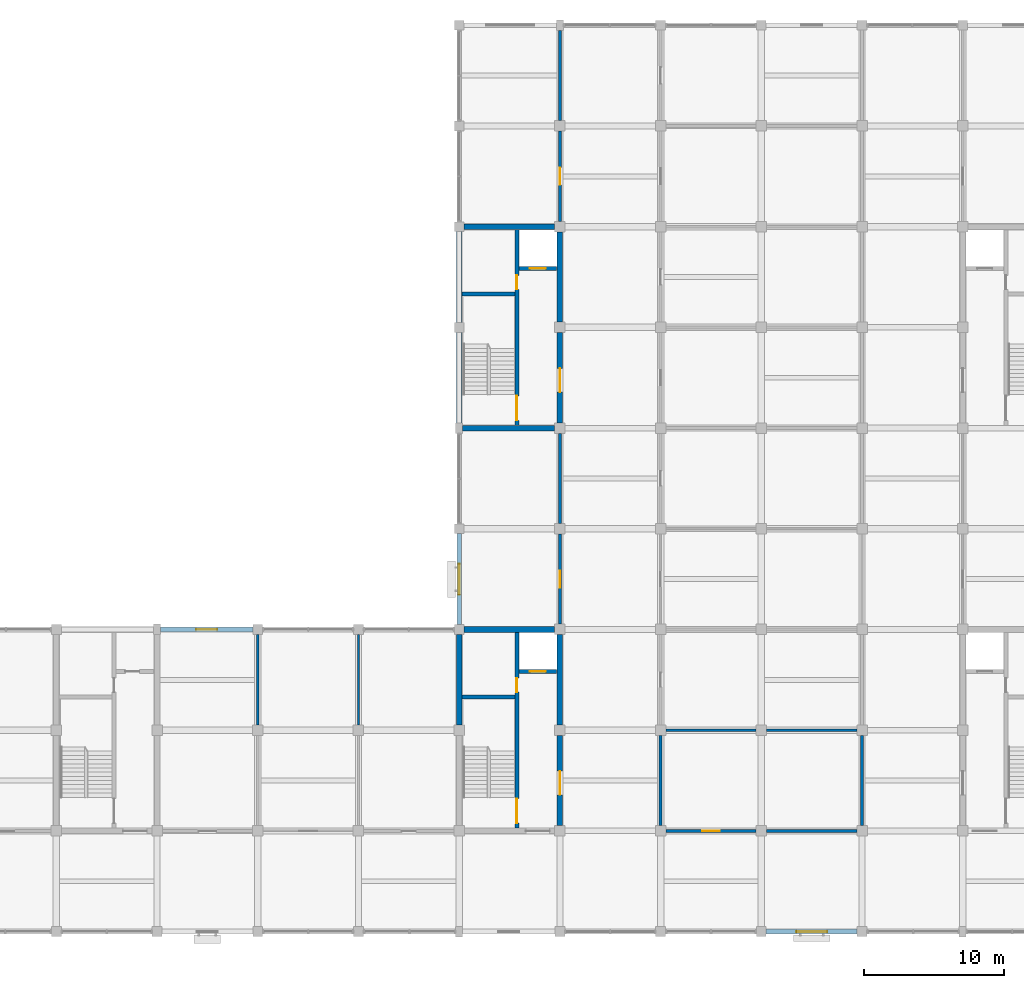
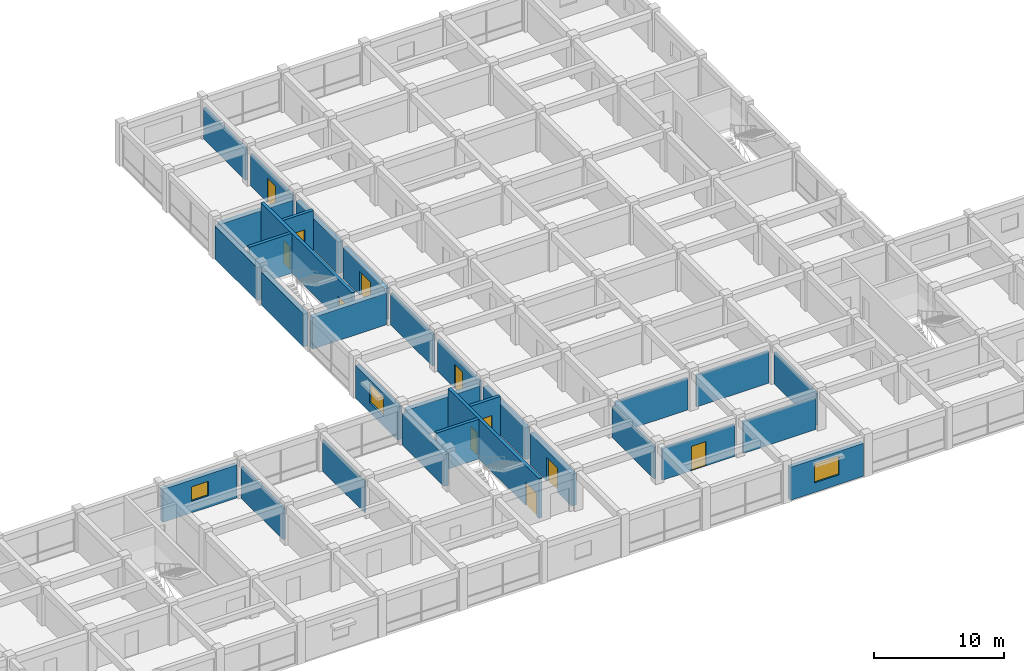
# One storey, part 14 of 25: 31 walls, 11 doors, 3 windows, 14 openings.
"""IFC4 building model written with IfcOpenShell, lengths in metres."""

from ifc_helpers import new_model, si_unit, direction, frame, frame_2d, origin, place, context, subcontext, project, spatial, rectangle, extrude, material, layer, layer_set, type_object, element, fill, save


model = new_model("IFC4")

# Units and contexts
model_context = context("Model", 3, precision=1e-05, world=origin(), true_north=direction((0.0, 1.0)))
body_context = subcontext(model_context, "Body", "Model", "MODEL_VIEW")
ifc_project = project(units=[si_unit("LENGTHUNIT", "METRE"), si_unit("AREAUNIT", "SQUARE_METRE"), si_unit("VOLUMEUNIT", "CUBIC_METRE"), si_unit("PLANEANGLEUNIT", "RADIAN"), si_unit("MASSUNIT", "GRAM", prefix="KILO")], contexts=[model_context])

# Site, building, storey
site_placement = place(None, origin())
site = spatial("IfcSite", under=ifc_project, at=site_placement, CompositionType="ELEMENT")
building_placement = place(site_placement, origin())
building = spatial("IfcBuilding", under=site, at=building_placement, Name="Cendaluz Park School", CompositionType="ELEMENT")
storey_placement = place(building_placement, frame((0.0, 0.0, 18.60009765625)))
storey = spatial("IfcBuildingStorey", under=building, at=storey_placement, Name="L04", CompositionType="ELEMENT", Elevation=18.60009765625)

# Wall
ifc_material_1 = material(Name="Gypsum Plasterboard on Cold-Formed Stud", Category="gypsum")
ifc_layer_1 = layer(ifc_material_1, 0.199951171875)
ifc_layer_set_1 = layer_set([ifc_layer_1], Name="Gypsum Plasterboard on Cold-Formed Stud")
wall_type_1 = type_object("IfcWallType", Name="W-AC20", PredefinedType="PARTITIONING", material=ifc_layer_set_1)
wall_1_placement = place(storey_placement, frame((50.39990234375, 21.97509765625, 0.0), z_axis=(0.0, 0.0, 1.0), x_axis=(0.0, 1.0, 0.0)))
element("IfcWall", 1, at=wall_1_placement, inside=storey, type_object=wall_type_1, Name="WL-FE-BN3", PredefinedType="PARTITIONING", context=body_context, shape_type="SweptSolid", body=[
    extrude(rectangle(XDim=6.474853515625, YDim=0.199951171875, at=frame_2d((3.2373046875, 0.0))), origin(), (0.0, 0.0, 1.0), 2.969970703125),
])

# Wall, opening, door
wall_2_placement = place(storey_placement, frame((72.0, 29.175048828125, 0.0), z_axis=(0.0, 0.0, 1.0), x_axis=(0.0, 1.0, 0.0)))
wall_2 = element("IfcWall", 2, at=wall_2_placement, inside=storey, type_object=wall_type_1, Name="WL-FE-BP2", PredefinedType="PARTITIONING", context=body_context, shape_type="SweptSolid", body=[
    extrude(rectangle(XDim=6.449951171875, YDim=0.199951171875, at=frame_2d((3.22509765625, 0.0))), origin(), (0.0, 0.0, 1.0), 2.969970703125),
])
opening_1_placement = place(wall_2_placement, frame((2.625, 0.0, 0.0)))
opening_1 = element("IfcOpeningElement", 3, at=opening_1_placement, cuts=wall_2, Name="Opening DCL-08", PredefinedType="OPENING", context=body_context, shape_type="SweptSolid", body=[
    extrude(rectangle(XDim=1.199951171875, YDim=2.239990234375, at=frame_2d((0.60009765625, 1.1201171875))), frame((0.0, 0.112060546875, 0.0), z_axis=(0.0, -1.0, 0.0), x_axis=(1.0, 0.0, 0.0)), (0.0, 0.0, 1.0), 0.223876953125),
])
ifc_material_2 = material(Name="Solid Core Hardwood", Category="wood")
door_type_1 = type_object("IfcDoorType", Name="DCL-08", OperationType="NOTDEFINED", PredefinedType="DOOR", material=ifc_material_2)
door_1_placement = place(opening_1_placement, origin())
door_1 = element("IfcDoor", 4, at=door_1_placement, inside=storey, type_object=door_type_1, Name="D-L04-039", OperationType="SINGLE_SWING_LEFT", OverallHeight=2.239990234375, OverallWidth=1.199951171875, PredefinedType="DOOR", context=body_context, shape_type="SweptSolid", body=[
    extrude(rectangle(XDim=1.199951171875, YDim=2.239990234375, at=frame_2d((0.60009765625, 1.1201171875))), frame((0.0, 0.02490234375, 0.0), z_axis=(0.0, -1.0, 0.0), x_axis=(1.0, 0.0, 0.0)), (0.0, 0.0, 1.0), 0.050048828125),
])
fill(opening_1, door_1)

# Wall
wall_3_placement = place(storey_placement, frame((72.0, 36.375, 0.0), z_axis=(0.0, 0.0, 1.0), x_axis=(0.0, 1.0, 0.0)))
element("IfcWall", 5, at=wall_3_placement, inside=storey, type_object=wall_type_1, Name="WL-FE-BP3", PredefinedType="PARTITIONING", context=body_context, shape_type="SweptSolid", body=[
    extrude(rectangle(XDim=6.449951171875, YDim=0.199951171875, at=frame_2d((3.22509765625, 0.0))), origin(), (0.0, 0.0, 1.0), 2.969970703125),
])

# Wall, opening, door
wall_4_placement = place(storey_placement, frame((72.0, 57.97509765625, 0.0), z_axis=(0.0, 0.0, 1.0), x_axis=(0.0, 1.0, 0.0)))
wall_4 = element("IfcWall", 6, at=wall_4_placement, inside=storey, type_object=wall_type_1, Name="WL-FE-BP4", PredefinedType="PARTITIONING", context=body_context, shape_type="SweptSolid", body=[
    extrude(rectangle(XDim=6.449951171875, YDim=0.199951171875, at=frame_2d((3.22509765625, 0.0))), origin(), (0.0, 0.0, 1.0), 2.969970703125),
])
opening_2_placement = place(wall_4_placement, frame((2.60498046875, 0.0, 0.0)))
opening_2 = element("IfcOpeningElement", 7, at=opening_2_placement, cuts=wall_4, Name="Opening DCL-09", PredefinedType="OPENING", context=body_context, shape_type="SweptSolid", body=[
    extrude(rectangle(XDim=1.239990234375, YDim=2.260009765625, at=frame_2d((0.6201171875, 1.1298828125))), frame((0.0, 0.112060546875, 0.0), z_axis=(0.0, -1.0, 0.0), x_axis=(1.0, 0.0, 0.0)), (0.0, 0.0, 1.0), 0.223876953125),
])
door_type_2 = type_object("IfcDoorType", Name="DCL-09", OperationType="NOTDEFINED", PredefinedType="DOOR", material=ifc_material_2)
door_2_placement = place(opening_2_placement, origin())
door_2 = element("IfcDoor", 8, at=door_2_placement, inside=storey, type_object=door_type_2, Name="D-L04-040", OperationType="SINGLE_SWING_RIGHT", OverallHeight=2.260009765625, OverallWidth=1.239990234375, PredefinedType="DOOR", context=body_context, shape_type="SweptSolid", body=[
    extrude(rectangle(XDim=1.239990234375, YDim=2.260009765625, at=frame_2d((0.6201171875, 1.1298828125))), frame((0.0, 0.02490234375, 0.0), z_axis=(0.0, -1.0, 0.0), x_axis=(1.0, 0.0, 0.0)), (0.0, 0.0, 1.0), 0.050048828125),
])
fill(opening_2, door_2)

# Wall
wall_5_placement = place(storey_placement, frame((72.0, 65.175048828125, 0.0), z_axis=(0.0, 0.0, 1.0), x_axis=(0.0, 1.0, 0.0)))
element("IfcWall", 9, at=wall_5_placement, inside=storey, type_object=wall_type_1, Name="WL-FE-BP5", PredefinedType="PARTITIONING", context=body_context, shape_type="SweptSolid", body=[
    extrude(rectangle(XDim=6.449951171875, YDim=0.199951171875, at=frame_2d((3.22509765625, 0.0))), origin(), (0.0, 0.0, 1.0), 2.969970703125),
])

# Wall, opening, door
wall_6_placement = place(storey_placement, frame((79.574951171875, 14.39990234375, 0.0), z_axis=(0.0, 0.0, 1.0), x_axis=(1.0, 0.0, 0.0)))
wall_6 = element("IfcWall", 10, at=wall_6_placement, inside=storey, type_object=wall_type_1, Name="WL-FE-BP6", PredefinedType="PARTITIONING", context=body_context, shape_type="SweptSolid", body=[
    extrude(rectangle(XDim=6.449951171875, YDim=0.199951171875, at=frame_2d((3.22509765625, 0.0))), origin(), (0.0, 0.0, 1.0), 2.969970703125),
])
opening_3_placement = place(wall_6_placement, frame((2.5849609375, 0.0, 0.0)))
opening_3 = element("IfcOpeningElement", 11, at=opening_3_placement, cuts=wall_6, Name="Opening DCL-10", PredefinedType="OPENING", context=body_context, shape_type="SweptSolid", body=[
    extrude(rectangle(XDim=1.280029296875, YDim=2.280029296875, at=frame_2d((0.64013671875, 1.14013671875))), frame((0.0, 0.112060546875, 0.0), z_axis=(0.0, -1.0, 0.0), x_axis=(1.0, 0.0, 0.0)), (0.0, 0.0, 1.0), 0.223876953125),
])
door_type_3 = type_object("IfcDoorType", Name="DCL-10", OperationType="NOTDEFINED", PredefinedType="DOOR", material=ifc_material_2)
door_3_placement = place(opening_3_placement, origin())
door_3 = element("IfcDoor", 12, at=door_3_placement, inside=storey, type_object=door_type_3, Name="D-L04-041", OperationType="SINGLE_SWING_LEFT", OverallHeight=2.280029296875, OverallWidth=1.280029296875, PredefinedType="DOOR", context=body_context, shape_type="SweptSolid", body=[
    extrude(rectangle(XDim=1.280029296875, YDim=2.280029296875, at=frame_2d((0.64013671875, 1.14013671875))), frame((0.0, 0.02490234375, 0.0), z_axis=(0.0, -1.0, 0.0), x_axis=(1.0, 0.0, 0.0)), (0.0, 0.0, 1.0), 0.050048828125),
])
fill(opening_3, door_3)

# Walls
wall_7_placement = place(storey_placement, frame((79.574951171875, 21.60009765625, 0.0), z_axis=(0.0, 0.0, 1.0), x_axis=(1.0, 0.0, 0.0)))
element("IfcWall", 13, at=wall_7_placement, inside=storey, type_object=wall_type_1, Name="WL-FE-BP7", PredefinedType="PARTITIONING", context=body_context, shape_type="SweptSolid", body=[
    extrude(rectangle(XDim=6.449951171875, YDim=0.199951171875, at=frame_2d((3.22509765625, 0.0))), origin(), (0.0, 0.0, 1.0), 2.969970703125),
])
for number, where, z_axis, x_axis, name in (
    (14, (79.199951171875, 14.77490234375, 0.0), (0.0, 0.0, 1.0), (0.0, 1.0, 0.0), "WL-FE-BP8"),
    (15, (86.77490234375, 14.39990234375, 0.0), (0.0, 0.0, 1.0), (1.0, 0.0, 0.0), "WL-FE-BP9"),
    (16, (86.77490234375, 21.60009765625, 0.0), (0.0, 0.0, 1.0), (1.0, 0.0, 0.0), "WL-FE-BQ0"),
    (17, (93.60009765625, 14.77490234375, 0.0), (0.0, 0.0, 1.0), (0.0, 1.0, 0.0), "WL-FE-BQ1"),
):
    element("IfcWall", number, at=place(storey_placement, frame(where, z_axis=z_axis, x_axis=x_axis)), inside=storey, type_object=wall_type_1, Name=name, PredefinedType="PARTITIONING", context=body_context, shape_type="SweptSolid", body=[
        extrude(rectangle(XDim=6.4501953125, YDim=0.199951171875, at=frame_2d((3.22509765625, 0.0))), origin(), (0.0, 0.0, 1.0), 2.969970703125),
    ])

# Wall, opening, window
ifc_material_3 = material(Name="Concrete C40/50 precast", Category="concrete")
ifc_layer_2 = layer(ifc_material_3, 0.340087890625)
ifc_layer_set_2 = layer_set([ifc_layer_2], Name="Concrete C40/50 precast")
wall_type_2 = type_object("IfcWallType", Name="W-EX34", PredefinedType="SOLIDWALL", material=ifc_layer_set_2)
wall_8_placement = place(storey_placement, frame((43.449951171875, 28.800048828125, 0.0), z_axis=(0.0, 0.0, 1.0), x_axis=(1.0, 0.0, 0.0)))
wall_8 = element("IfcWall", 18, at=wall_8_placement, inside=storey, type_object=wall_type_2, Name="WL-FE-AA4", PredefinedType="SOLIDWALL", context=body_context, shape_type="SweptSolid", body=[
    extrude(rectangle(XDim=6.60009765625, YDim=0.340087890625, at=frame_2d((3.300048828125, 0.0))), origin(), (0.0, 0.0, 1.0), 3.10986328125),
])
opening_4_placement = place(wall_8_placement, frame((2.550048828125, 0.0, 1.10009765625)))
opening_4 = element("IfcOpeningElement", 19, at=opening_4_placement, cuts=wall_8, Name="Opening WN-20", PredefinedType="OPENING", context=body_context, shape_type="SweptSolid", body=[
    extrude(rectangle(XDim=1.5, YDim=1.35009765625, at=frame_2d((0.75, 0.675048828125))), frame((0.0, 0.18212890625, 0.0), z_axis=(0.0, -1.0, 0.0), x_axis=(1.0, 0.0, 0.0)), (0.0, 0.0, 1.0), 0.364013671875),
])
ifc_material_4 = material(Name="Tempered Low-E Double Glazing", Category="glass")
window_type_1 = type_object("IfcWindowType", Name="WN-20", PartitioningType="SINGLE_PANEL", PredefinedType="WINDOW", material=ifc_material_4)
window_1_placement = place(opening_4_placement, origin())
window_1 = element("IfcWindow", 20, at=window_1_placement, inside=storey, type_object=window_type_1, Name="WN-L04-005", OverallHeight=1.35009765625, OverallWidth=1.5, PartitioningType="SINGLE_PANEL", PredefinedType="WINDOW", context=body_context, shape_type="SweptSolid", body=[
    extrude(rectangle(XDim=1.5, YDim=1.35009765625, at=frame_2d((0.75, 0.675048828125))), frame((0.0, 0.030029296875, 0.0), z_axis=(0.0, -1.0, 0.0), x_axis=(1.0, 0.0, 0.0)), (0.0, 0.0, 1.0), 0.06005859375),
])
fill(opening_4, window_1)

wall_9_placement = place(storey_placement, frame((64.800048828125, 29.14990234375, 0.0), z_axis=(0.0, 0.0, 1.0), x_axis=(0.0, 1.0, 0.0)))
wall_9 = element("IfcWall", 21, at=wall_9_placement, inside=storey, type_object=wall_type_2, Name="WL-FE-AA6", PredefinedType="SOLIDWALL", context=body_context, shape_type="SweptSolid", body=[
    extrude(rectangle(XDim=6.5, YDim=0.340087890625, at=frame_2d((3.25, 0.0))), origin(), (0.0, 0.0, 1.0), 3.10986328125),
])
opening_5_placement = place(wall_9_placement, frame((2.14990234375, 0.0, 0.89990234375)))
opening_5 = element("IfcOpeningElement", 22, at=opening_5_placement, cuts=wall_9, Name="Opening WN-03", PredefinedType="OPENING", context=body_context, shape_type="SweptSolid", body=[
    extrude(rectangle(XDim=2.199951171875, YDim=1.800048828125, at=frame_2d((1.10009765625, 0.89990234375))), frame((0.0, 0.18212890625, 0.0), z_axis=(0.0, -1.0, 0.0), x_axis=(1.0, 0.0, 0.0)), (0.0, 0.0, 1.0), 0.364013671875),
])
window_type_2 = type_object("IfcWindowType", Name="WN-03", PartitioningType="SINGLE_PANEL", PredefinedType="WINDOW", material=ifc_material_4)
window_2_placement = place(opening_5_placement, origin())
window_2 = element("IfcWindow", 23, at=window_2_placement, inside=storey, type_object=window_type_2, Name="WN-L04-007", OverallHeight=1.800048828125, OverallWidth=2.199951171875, PartitioningType="SINGLE_PANEL", PredefinedType="WINDOW", context=body_context, shape_type="SweptSolid", body=[
    extrude(rectangle(XDim=2.199951171875, YDim=1.800048828125, at=frame_2d((1.10009765625, 0.89990234375))), frame((0.0, 0.030029296875, 0.0), z_axis=(0.0, -1.0, 0.0), x_axis=(1.0, 0.0, 0.0)), (0.0, 0.0, 1.0), 0.06005859375),
])
fill(opening_5, window_2)

wall_10_placement = place(storey_placement, frame((86.75, 7.199951171875, 0.0), z_axis=(0.0, 0.0, 1.0), x_axis=(1.0, 0.0, 0.0)))
wall_10 = element("IfcWall", 24, at=wall_10_placement, inside=storey, type_object=wall_type_2, Name="WL-FE-AA8", PredefinedType="SOLIDWALL", context=body_context, shape_type="SweptSolid", body=[
    extrude(rectangle(XDim=6.5, YDim=0.340087890625, at=frame_2d((3.25, 0.0))), origin(), (0.0, 0.0, 1.0), 3.10986328125),
])
opening_6_placement = place(wall_10_placement, frame((2.14990234375, 0.0, 0.89990234375)))
opening_6 = element("IfcOpeningElement", 25, at=opening_6_placement, cuts=wall_10, Name="Opening WN-03", PredefinedType="OPENING", context=body_context, shape_type="SweptSolid", body=[
    extrude(rectangle(XDim=2.199951171875, YDim=1.800048828125, at=frame_2d((1.10009765625, 0.89990234375))), frame((0.0, 0.18212890625, 0.0), z_axis=(0.0, -1.0, 0.0), x_axis=(1.0, 0.0, 0.0)), (0.0, 0.0, 1.0), 0.364013671875),
])
window_3_placement = place(opening_6_placement, origin())
window_3 = element("IfcWindow", 26, at=window_3_placement, inside=storey, type_object=window_type_2, Name="WN-L04-009", OverallHeight=1.800048828125, OverallWidth=2.199951171875, PartitioningType="SINGLE_PANEL", PredefinedType="WINDOW", context=body_context, shape_type="SweptSolid", body=[
    extrude(rectangle(XDim=2.199951171875, YDim=1.800048828125, at=frame_2d((1.10009765625, 0.89990234375))), frame((0.0, 0.030029296875, 0.0), z_axis=(0.0, -1.0, 0.0), x_axis=(1.0, 0.0, 0.0)), (0.0, 0.0, 1.0), 0.06005859375),
])
fill(opening_6, window_3)

# Wall, openings, doors
ifc_material_5 = material(Name="Concrete C40/50", Category="concrete")
ifc_layer_3 = layer(ifc_material_5, 0.280029296875)
ifc_layer_set_3 = layer_set([ifc_layer_3], Name="Concrete C40/50")
wall_type_3 = type_object("IfcWallType", Name="W-FW28", PredefinedType="SHEAR", material=ifc_layer_set_3)
wall_11_placement = place(storey_placement, frame((68.919921875, 14.60009765625, 0.0), z_axis=(0.0, 0.0, 1.0), x_axis=(0.0, 1.0, 0.0)))
wall_11 = element("IfcWall", 27, at=wall_11_placement, inside=storey, type_object=wall_type_3, Name="WL-FE-BH6", PredefinedType="SHEAR", context=body_context, shape_type="SweptSolid", body=[
    extrude(rectangle(XDim=14.0, YDim=0.280029296875, at=frame_2d((7.0, 0.0))), origin(), (0.0, 0.0, 1.0), 3.739990234375),
])
opening_7_placement = place(wall_11_placement, frame((0.35009765625, 0.0, 0.0)))
opening_7 = element("IfcOpeningElement", 28, at=opening_7_placement, cuts=wall_11, Name="Opening DST-03", PredefinedType="OPENING", context=body_context, shape_type="SweptSolid", body=[
    extrude(rectangle(XDim=1.75, YDim=2.14990234375, at=frame_2d((0.875, 1.074951171875))), frame((0.0, 0.152099609375, 0.0), z_axis=(0.0, -1.0, 0.0), x_axis=(1.0, 0.0, 0.0)), (0.0, 0.0, 1.0), 0.303955078125),
])
opening_8_placement = place(wall_11_placement, frame((9.719970703125, 0.0, 0.0)))
opening_8 = element("IfcOpeningElement", 29, at=opening_8_placement, cuts=wall_11, Name="Opening DFC-01", PredefinedType="OPENING", context=body_context, shape_type="SweptSolid", body=[
    extrude(rectangle(XDim=1.0, YDim=2.14990234375, at=frame_2d((0.5, 1.074951171875))), frame((0.0, 0.152099609375, 0.0), z_axis=(0.0, -1.0, 0.0), x_axis=(1.0, 0.0, 0.0)), (0.0, 0.0, 1.0), 0.303955078125),
])
door_type_4 = type_object("IfcDoorType", Name="DFC-01", OperationType="NOTDEFINED", PredefinedType="DOOR", material=ifc_material_2)
door_4_placement = place(opening_8_placement, origin())
door_4 = element("IfcDoor", 30, at=door_4_placement, inside=storey, type_object=door_type_4, Name="D-L04-004", OperationType="SINGLE_SWING_RIGHT", OverallHeight=2.14990234375, OverallWidth=1.0, PredefinedType="DOOR", context=body_context, shape_type="SweptSolid", body=[
    extrude(rectangle(XDim=1.0, YDim=2.14990234375, at=frame_2d((0.5, 1.074951171875))), frame((0.0, 0.02490234375, 0.0), z_axis=(0.0, -1.0, 0.0), x_axis=(1.0, 0.0, 0.0)), (0.0, 0.0, 1.0), 0.050048828125),
])
fill(opening_8, door_4)
door_type_5 = type_object("IfcDoorType", Name="DST-03", OperationType="DOUBLE_DOOR_SINGLE_SWING", PredefinedType="DOOR", material=ifc_material_2)
door_5_placement = place(opening_7_placement, origin())
door_5 = element("IfcDoor", 31, at=door_5_placement, inside=storey, type_object=door_type_5, Name="D-L04-003", OperationType="DOUBLE_DOOR_SINGLE_SWING", OverallHeight=2.14990234375, OverallWidth=1.75, PredefinedType="DOOR", context=body_context, shape_type="SweptSolid", body=[
    extrude(rectangle(XDim=1.75, YDim=2.14990234375, at=frame_2d((0.875, 1.074951171875))), frame((0.0, 0.02490234375, 0.0), z_axis=(0.0, -1.0, 0.0), x_axis=(1.0, 0.0, 0.0)), (0.0, 0.0, 1.0), 0.050048828125),
])
fill(opening_7, door_5)

# Wall
wall_12_placement = place(storey_placement, frame((65.0, 23.97998046875, 0.0), z_axis=(0.0, 0.0, 1.0), x_axis=(1.0, 0.0, 0.0)))
element("IfcWall", 32, at=wall_12_placement, inside=storey, type_object=wall_type_3, Name="WL-FE-BH7", PredefinedType="SHEAR", context=body_context, shape_type="SweptSolid", body=[
    extrude(rectangle(XDim=3.780029296875, YDim=0.280029296875, at=frame_2d((1.89013671875, 0.0))), origin(), (0.0, 0.0, 1.0), 3.739990234375),
])

# Wall, opening, door
wall_13_placement = place(storey_placement, frame((69.080078125, 25.800048828125, 0.0), z_axis=(0.0, 0.0, 1.0), x_axis=(1.0, 0.0, 0.0)))
wall_13 = element("IfcWall", 33, at=wall_13_placement, inside=storey, type_object=wall_type_3, Name="WL-FE-BH8", PredefinedType="SHEAR", context=body_context, shape_type="SweptSolid", body=[
    extrude(rectangle(XDim=2.679931640625, YDim=0.280029296875, at=frame_2d((1.33984375, 0.0))), origin(), (0.0, 0.0, 1.0), 3.739990234375),
])
opening_9_placement = place(wall_13_placement, frame((0.764892578125, 0.0, 0.0)))
opening_9 = element("IfcOpeningElement", 34, at=opening_9_placement, cuts=wall_13, Name="Opening LD-01", PredefinedType="OPENING", context=body_context, shape_type="SweptSolid", body=[
    extrude(rectangle(XDim=1.14990234375, YDim=2.199951171875, at=frame_2d((0.574951171875, 1.10009765625))), frame((0.0, 0.152099609375, 0.0), z_axis=(0.0, -1.0, 0.0), x_axis=(1.0, 0.0, 0.0)), (0.0, 0.0, 1.0), 0.303955078125),
])
ifc_material_6 = material(Name="Stainless Steel 316L", Category="steel")
door_type_6 = type_object("IfcDoorType", Name="LD-01", OperationType="DOUBLE_DOOR_SLIDING", PredefinedType="DOOR", material=ifc_material_6)
door_6_placement = place(opening_9_placement, frame((1.14990234375, 0.0, 0.0), z_axis=(0.0, 0.0, 1.0), x_axis=(-1.0, 0.0, 0.0)))
door_6 = element("IfcDoor", 35, at=door_6_placement, inside=storey, type_object=door_type_6, Name="D-L04-005", OperationType="DOUBLE_DOOR_SLIDING", OverallHeight=2.199951171875, OverallWidth=1.14990234375, PredefinedType="DOOR", context=body_context, shape_type="SweptSolid", body=[
    extrude(rectangle(XDim=1.14990234375, YDim=2.199951171875, at=frame_2d((0.574951171875, 1.10009765625))), frame((0.0, 0.02490234375, 0.0), z_axis=(0.0, -1.0, 0.0), x_axis=(1.0, 0.0, 0.0)), (0.0, 0.0, 1.0), 0.050048828125),
])
fill(opening_9, door_6)

# Wall, openings, doors
wall_14_placement = place(storey_placement, frame((68.919921875, 43.39990234375, 0.0), z_axis=(0.0, 0.0, 1.0), x_axis=(0.0, 1.0, 0.0)))
wall_14 = element("IfcWall", 36, at=wall_14_placement, inside=storey, type_object=wall_type_3, Name="WL-FE-BJ4", PredefinedType="SHEAR", context=body_context, shape_type="SweptSolid", body=[
    extrude(rectangle(XDim=14.0, YDim=0.280029296875, at=frame_2d((7.0, 0.0))), origin(), (0.0, 0.0, 1.0), 3.739990234375),
])
opening_10_placement = place(wall_14_placement, frame((0.35009765625, 0.0, 0.0)))
opening_10 = element("IfcOpeningElement", 37, at=opening_10_placement, cuts=wall_14, Name="Opening DST-03", PredefinedType="OPENING", context=body_context, shape_type="SweptSolid", body=[
    extrude(rectangle(XDim=1.75, YDim=2.14990234375, at=frame_2d((0.875, 1.074951171875))), frame((0.0, 0.152099609375, 0.0), z_axis=(0.0, -1.0, 0.0), x_axis=(1.0, 0.0, 0.0)), (0.0, 0.0, 1.0), 0.303955078125),
])
opening_11_placement = place(wall_14_placement, frame((9.719970703125, 0.0, 0.0)))
opening_11 = element("IfcOpeningElement", 38, at=opening_11_placement, cuts=wall_14, Name="Opening DFC-01", PredefinedType="OPENING", context=body_context, shape_type="SweptSolid", body=[
    extrude(rectangle(XDim=1.0, YDim=2.14990234375, at=frame_2d((0.5, 1.074951171875))), frame((0.0, 0.152099609375, 0.0), z_axis=(0.0, -1.0, 0.0), x_axis=(1.0, 0.0, 0.0)), (0.0, 0.0, 1.0), 0.303955078125),
])
door_7_placement = place(opening_11_placement, origin())
door_7 = element("IfcDoor", 39, at=door_7_placement, inside=storey, type_object=door_type_4, Name="D-L04-013", OperationType="SINGLE_SWING_RIGHT", OverallHeight=2.14990234375, OverallWidth=1.0, PredefinedType="DOOR", context=body_context, shape_type="SweptSolid", body=[
    extrude(rectangle(XDim=1.0, YDim=2.14990234375, at=frame_2d((0.5, 1.074951171875))), frame((0.0, 0.02490234375, 0.0), z_axis=(0.0, -1.0, 0.0), x_axis=(1.0, 0.0, 0.0)), (0.0, 0.0, 1.0), 0.050048828125),
])
fill(opening_11, door_7)
door_8_placement = place(opening_10_placement, origin())
door_8 = element("IfcDoor", 40, at=door_8_placement, inside=storey, type_object=door_type_5, Name="D-L04-012", OperationType="DOUBLE_DOOR_SINGLE_SWING", OverallHeight=2.14990234375, OverallWidth=1.75, PredefinedType="DOOR", context=body_context, shape_type="SweptSolid", body=[
    extrude(rectangle(XDim=1.75, YDim=2.14990234375, at=frame_2d((0.875, 1.074951171875))), frame((0.0, 0.02490234375, 0.0), z_axis=(0.0, -1.0, 0.0), x_axis=(1.0, 0.0, 0.0)), (0.0, 0.0, 1.0), 0.050048828125),
])
fill(opening_10, door_8)

# Wall
wall_15_placement = place(storey_placement, frame((65.0, 52.780029296875, 0.0), z_axis=(0.0, 0.0, 1.0), x_axis=(1.0, 0.0, 0.0)))
element("IfcWall", 41, at=wall_15_placement, inside=storey, type_object=wall_type_3, Name="WL-FE-BJ5", PredefinedType="SHEAR", context=body_context, shape_type="SweptSolid", body=[
    extrude(rectangle(XDim=3.780029296875, YDim=0.280029296875, at=frame_2d((1.89013671875, 0.0))), origin(), (0.0, 0.0, 1.0), 3.739990234375),
])

# Wall, opening, door
wall_16_placement = place(storey_placement, frame((69.080078125, 54.60009765625, 0.0), z_axis=(0.0, 0.0, 1.0), x_axis=(1.0, 0.0, 0.0)))
wall_16 = element("IfcWall", 42, at=wall_16_placement, inside=storey, type_object=wall_type_3, Name="WL-FE-BJ6", PredefinedType="SHEAR", context=body_context, shape_type="SweptSolid", body=[
    extrude(rectangle(XDim=2.679931640625, YDim=0.280029296875, at=frame_2d((1.33984375, 0.0))), origin(), (0.0, 0.0, 1.0), 3.739990234375),
])
opening_12_placement = place(wall_16_placement, frame((0.764892578125, 0.0, 0.0)))
opening_12 = element("IfcOpeningElement", 43, at=opening_12_placement, cuts=wall_16, Name="Opening LD-01", PredefinedType="OPENING", context=body_context, shape_type="SweptSolid", body=[
    extrude(rectangle(XDim=1.14990234375, YDim=2.199951171875, at=frame_2d((0.574951171875, 1.10009765625))), frame((0.0, 0.152099609375, 0.0), z_axis=(0.0, -1.0, 0.0), x_axis=(1.0, 0.0, 0.0)), (0.0, 0.0, 1.0), 0.303955078125),
])
door_9_placement = place(opening_12_placement, frame((1.14990234375, 0.0, 0.0), z_axis=(0.0, 0.0, 1.0), x_axis=(-1.0, 0.0, 0.0)))
door_9 = element("IfcDoor", 44, at=door_9_placement, inside=storey, type_object=door_type_6, Name="D-L04-014", OperationType="DOUBLE_DOOR_SLIDING", OverallHeight=2.199951171875, OverallWidth=1.14990234375, PredefinedType="DOOR", context=body_context, shape_type="SweptSolid", body=[
    extrude(rectangle(XDim=1.14990234375, YDim=2.199951171875, at=frame_2d((0.574951171875, 1.10009765625))), frame((0.0, 0.02490234375, 0.0), z_axis=(0.0, -1.0, 0.0), x_axis=(1.0, 0.0, 0.0)), (0.0, 0.0, 1.0), 0.050048828125),
])
fill(opening_12, door_9)

# Walls
ifc_layer_4 = layer(ifc_material_1, 0.1201171875)
ifc_layer_set_4 = layer_set([ifc_layer_4], Name="Gypsum Plasterboard on Cold-Formed Stud")
wall_type_4 = type_object("IfcWallType", Name="W-MV12", PredefinedType="MOVABLE", material=ifc_layer_set_4)
wall_17_placement = place(storey_placement, frame((57.60009765625, 21.97509765625, 0.0), z_axis=(0.0, 0.0, 1.0), x_axis=(0.0, 1.0, 0.0)))
element("IfcWall", 45, at=wall_17_placement, inside=storey, type_object=wall_type_4, Name="WL-FE-BN6", PredefinedType="MOVABLE", context=body_context, shape_type="SweptSolid", body=[
    extrude(rectangle(XDim=6.474853515625, YDim=0.1201171875, at=frame_2d((3.2373046875, 0.0))), origin(), (0.0, 0.0, 1.0), 2.969970703125),
])
ifc_layer_5 = layer(ifc_material_5, 0.39990234375)
ifc_layer_set_5 = layer_set([ifc_layer_5], Name="Concrete C40/50")
wall_type_5 = type_object("IfcWallType", Name="W-SH40", PredefinedType="SHEAR", material=ifc_layer_set_5)
wall_18_placement = place(storey_placement, frame((64.800048828125, 21.97509765625, 0.0), z_axis=(0.0, 0.0, 1.0), x_axis=(0.0, 1.0, 0.0)))
element("IfcWall", 46, at=wall_18_placement, inside=storey, type_object=wall_type_5, Name="WL-FE-BH1", PredefinedType="SHEAR", context=body_context, shape_type="SweptSolid", body=[
    extrude(rectangle(XDim=6.474853515625, YDim=0.39990234375, at=frame_2d((3.2373046875, 0.0))), origin(), (0.0, 0.0, 1.0), 2.969970703125),
])

# Wall, opening, door
wall_19_placement = place(storey_placement, frame((72.0, 14.77490234375, 0.0), z_axis=(0.0, 0.0, 1.0), x_axis=(0.0, 1.0, 0.0)))
wall_19 = element("IfcWall", 47, at=wall_19_placement, inside=storey, type_object=wall_type_5, Name="WL-FE-BH2", PredefinedType="SHEAR", context=body_context, shape_type="SweptSolid", body=[
    extrude(rectangle(XDim=6.4501953125, YDim=0.39990234375, at=frame_2d((3.22509765625, 0.0))), origin(), (0.0, 0.0, 1.0), 2.969970703125),
])
opening_13_placement = place(wall_19_placement, frame((2.199951171875, 0.0, 0.0)))
opening_13 = element("IfcOpeningElement", 48, at=opening_13_placement, cuts=wall_19, Name="Opening DLB-02", PredefinedType="OPENING", context=body_context, shape_type="SweptSolid", body=[
    extrude(rectangle(XDim=1.699951171875, YDim=2.25, at=frame_2d((0.85009765625, 1.125))), frame((0.0, 0.2119140625, 0.0), z_axis=(0.0, -1.0, 0.0), x_axis=(1.0, 0.0, 0.0)), (0.0, 0.0, 1.0), 0.423828125),
])
door_type_7 = type_object("IfcDoorType", Name="DLB-02", OperationType="DOUBLE_DOOR_SINGLE_SWING", PredefinedType="DOOR", material=ifc_material_2)
door_10_placement = place(opening_13_placement, origin())
door_10 = element("IfcDoor", 49, at=door_10_placement, inside=storey, type_object=door_type_7, Name="D-L04-001", OperationType="DOUBLE_DOOR_SINGLE_SWING", OverallHeight=2.25, OverallWidth=1.699951171875, PredefinedType="DOOR", context=body_context, shape_type="SweptSolid", body=[
    extrude(rectangle(XDim=1.699951171875, YDim=2.25, at=frame_2d((0.85009765625, 1.125))), frame((0.0, 0.02490234375, 0.0), z_axis=(0.0, -1.0, 0.0), x_axis=(1.0, 0.0, 0.0)), (0.0, 0.0, 1.0), 0.050048828125),
])
fill(opening_13, door_10)

# Walls
wall_20_placement = place(storey_placement, frame((72.0, 21.97509765625, 0.0), z_axis=(0.0, 0.0, 1.0), x_axis=(0.0, 1.0, 0.0)))
element("IfcWall", 50, at=wall_20_placement, inside=storey, type_object=wall_type_5, Name="WL-FE-BH3", PredefinedType="SHEAR", context=body_context, shape_type="SweptSolid", body=[
    extrude(rectangle(XDim=6.449951171875, YDim=0.39990234375, at=frame_2d((3.22509765625, 0.0))), origin(), (0.0, 0.0, 1.0), 2.969970703125),
])
wall_21_placement = place(storey_placement, frame((65.14990234375, 28.800048828125, 0.0), z_axis=(0.0, 0.0, 1.0), x_axis=(1.0, 0.0, 0.0)))
element("IfcWall", 51, at=wall_21_placement, inside=storey, type_object=wall_type_5, Name="WL-FE-BH5", PredefinedType="SHEAR", context=body_context, shape_type="SweptSolid", body=[
    extrude(rectangle(XDim=6.47509765625, YDim=0.39990234375, at=frame_2d((3.237548828125, 0.0))), origin(), (0.0, 0.0, 1.0), 2.969970703125),
])
wall_22_placement = place(storey_placement, frame((64.800048828125, 43.574951171875, 0.0), z_axis=(0.0, 0.0, 1.0), x_axis=(0.0, 1.0, 0.0)))
element("IfcWall", 52, at=wall_22_placement, inside=storey, type_object=wall_type_5, Name="WL-FE-BI8", PredefinedType="SHEAR", context=body_context, shape_type="SweptSolid", body=[
    extrude(rectangle(XDim=6.47509765625, YDim=0.39990234375, at=frame_2d((3.237548828125, 0.0))), origin(), (0.0, 0.0, 1.0), 3.10986328125),
])
wall_23_placement = place(storey_placement, frame((64.800048828125, 50.75, 0.0), z_axis=(0.0, 0.0, 1.0), x_axis=(0.0, 1.0, 0.0)))
element("IfcWall", 53, at=wall_23_placement, inside=storey, type_object=wall_type_5, Name="WL-FE-BI9", PredefinedType="SHEAR", context=body_context, shape_type="SweptSolid", body=[
    extrude(rectangle(XDim=6.5, YDim=0.39990234375, at=frame_2d((3.25, 0.0))), origin(), (0.0, 0.0, 1.0), 3.10986328125),
])

# Wall, opening, door
wall_24_placement = place(storey_placement, frame((72.0, 43.574951171875, 0.0), z_axis=(0.0, 0.0, 1.0), x_axis=(0.0, 1.0, 0.0)))
wall_24 = element("IfcWall", 54, at=wall_24_placement, inside=storey, type_object=wall_type_5, Name="WL-FE-BJ0", PredefinedType="SHEAR", context=body_context, shape_type="SweptSolid", body=[
    extrude(rectangle(XDim=6.449951171875, YDim=0.39990234375, at=frame_2d((3.22509765625, 0.0))), origin(), (0.0, 0.0, 1.0), 2.969970703125),
])
opening_14_placement = place(wall_24_placement, frame((2.199951171875, 0.0, 0.0)))
opening_14 = element("IfcOpeningElement", 55, at=opening_14_placement, cuts=wall_24, Name="Opening DLB-02", PredefinedType="OPENING", context=body_context, shape_type="SweptSolid", body=[
    extrude(rectangle(XDim=1.699951171875, YDim=2.25, at=frame_2d((0.85009765625, 1.125))), frame((0.0, 0.2119140625, 0.0), z_axis=(0.0, -1.0, 0.0), x_axis=(1.0, 0.0, 0.0)), (0.0, 0.0, 1.0), 0.423828125),
])
door_11_placement = place(opening_14_placement, origin())
door_11 = element("IfcDoor", 56, at=door_11_placement, inside=storey, type_object=door_type_7, Name="D-L04-011", OperationType="DOUBLE_DOOR_SINGLE_SWING", OverallHeight=2.25, OverallWidth=1.699951171875, PredefinedType="DOOR", context=body_context, shape_type="SweptSolid", body=[
    extrude(rectangle(XDim=1.699951171875, YDim=2.25, at=frame_2d((0.85009765625, 1.125))), frame((0.0, 0.02490234375, 0.0), z_axis=(0.0, -1.0, 0.0), x_axis=(1.0, 0.0, 0.0)), (0.0, 0.0, 1.0), 0.050048828125),
])
fill(opening_14, door_11)

# Walls
wall_25_placement = place(storey_placement, frame((72.0, 50.77490234375, 0.0), z_axis=(0.0, 0.0, 1.0), x_axis=(0.0, 1.0, 0.0)))
element("IfcWall", 57, at=wall_25_placement, inside=storey, type_object=wall_type_5, Name="WL-FE-BJ1", PredefinedType="SHEAR", context=body_context, shape_type="SweptSolid", body=[
    extrude(rectangle(XDim=6.4501953125, YDim=0.39990234375, at=frame_2d((3.22509765625, 0.0))), origin(), (0.0, 0.0, 1.0), 2.969970703125),
])
wall_26_placement = place(storey_placement, frame((65.050048828125, 43.199951171875, 0.0), z_axis=(0.0, 0.0, 1.0), x_axis=(1.0, 0.0, 0.0)))
element("IfcWall", 58, at=wall_26_placement, inside=storey, type_object=wall_type_5, Name="WL-FE-BJ2", PredefinedType="SHEAR", context=body_context, shape_type="SweptSolid", body=[
    extrude(rectangle(XDim=6.574951171875, YDim=0.39990234375, at=frame_2d((3.28759765625, 0.0))), origin(), (0.0, 0.0, 1.0), 2.969970703125),
])
wall_27_placement = place(storey_placement, frame((65.14990234375, 57.60009765625, 0.0), z_axis=(0.0, 0.0, 1.0), x_axis=(1.0, 0.0, 0.0)))
element("IfcWall", 59, at=wall_27_placement, inside=storey, type_object=wall_type_5, Name="WL-FE-BJ3", PredefinedType="SHEAR", context=body_context, shape_type="SweptSolid", body=[
    extrude(rectangle(XDim=6.47509765625, YDim=0.39990234375, at=frame_2d((3.237548828125, 0.0))), origin(), (0.0, 0.0, 1.0), 2.969970703125),
])

save(model, "model.ifc")
